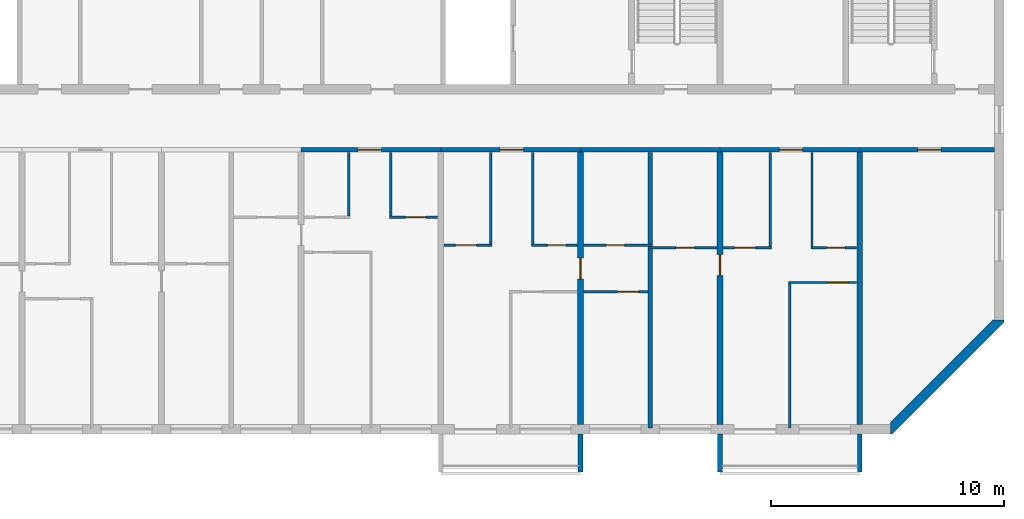
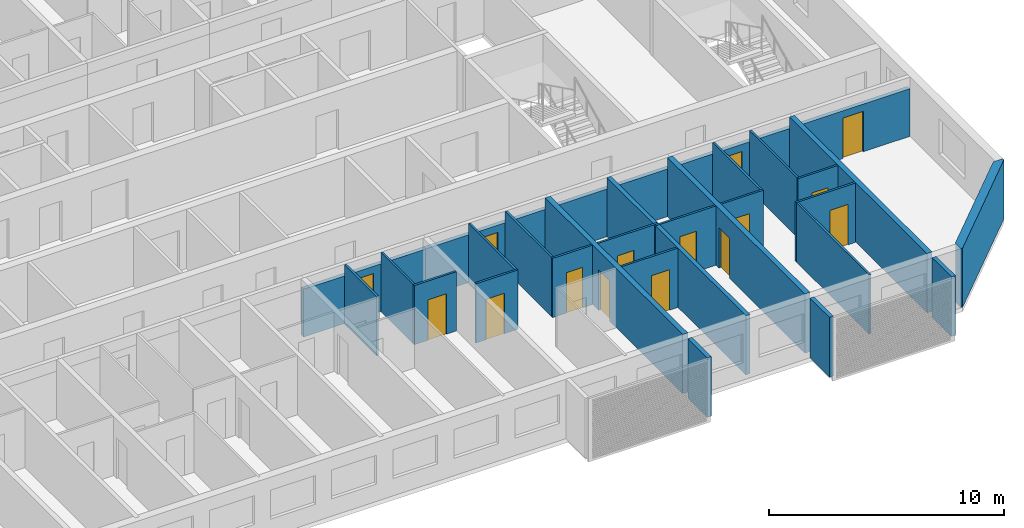
# One storey, part 5 of 28: 30 walls, 15 doors, 15 openings.
"""IFC4 building model written with IfcOpenShell, lengths in metres."""

from ifc_helpers import new_model, si_unit, direction, frame, frame_2d, origin, place, context, subcontext, project, spatial, polyline, rectangle, outline, extrude, source, transform, mapped, material, layer, layer_set, type_object, element, fill, save


model = new_model("IFC4")

# Units and contexts
model_context = context("Model", 3, precision=1e-05, world=origin(), true_north=direction((0.0, 1.0)))
body_context = subcontext(model_context, "Body", "Model", "MODEL_VIEW")
ifc_project = project(units=[si_unit("LENGTHUNIT", "METRE"), si_unit("AREAUNIT", "SQUARE_METRE"), si_unit("VOLUMEUNIT", "CUBIC_METRE"), si_unit("PLANEANGLEUNIT", "RADIAN"), si_unit("MASSUNIT", "GRAM", prefix="KILO")], contexts=[model_context])

# Site, building, storey
site_placement = place(None, origin())
site = spatial("IfcSite", under=ifc_project, at=site_placement, CompositionType="ELEMENT")
building_placement = place(site_placement, origin())
building = spatial("IfcBuilding", under=site, at=building_placement, Name="Poui Terraces", CompositionType="ELEMENT")
storey_placement = place(building_placement, frame((0.0, 0.0, 188.39990234375)))
storey = spatial("IfcBuildingStorey", under=building, at=storey_placement, Name="L52", CompositionType="ELEMENT", Elevation=188.39990234375)

# Wall, opening, door
ifc_material_1 = material(Name="Concrete 50 MPa", Category="concrete")
ifc_layer_1 = layer(ifc_material_1, 0.199951171875)
ifc_layer_set_1 = layer_set([ifc_layer_1], Name="Concrete 50 MPa")
wall_type_1 = type_object("IfcWallType", Name="CORRIDOR WALL 200 50MPa", PredefinedType="SHEAR", material=ifc_layer_set_1)
wall_1_placement = place(storey_placement, frame((54.0, 12.0, 0.0), z_axis=(0.0, 0.0, 1.0), x_axis=(1.0, 0.0, 0.0)))
wall_1 = element("IfcWall", 1, at=wall_1_placement, inside=storey, type_object=wall_type_1, Name="CORRIDOR WALL LINE B BAY 7", PredefinedType="SHEAR", context=body_context, shape_type="SweptSolid", body=[
    extrude(rectangle(XDim=6.0, YDim=0.199951171875, at=frame_2d((3.0, 0.0))), origin(), (0.0, 0.0, 1.0), 2.47998046875),
])
opening_1_placement = place(wall_1_placement, frame((2.449951171875, 0.0, 0.0)))
opening_1 = element("IfcOpeningElement", 2, at=opening_1_placement, cuts=wall_1, Name="Opening FD30S", PredefinedType="OPENING", context=body_context, shape_type="SweptSolid", body=[
    extrude(rectangle(XDim=1.0, YDim=2.10009765625, at=frame_2d((0.5, 1.050048828125))), frame((0.0, 0.10986328125, 0.0), z_axis=(0.0, -1.0, 0.0), x_axis=(1.0, 0.0, 0.0)), (0.0, 0.0, 1.0), 0.219970703125),
])
ifc_material_2 = material(Name="Steel fire door", Category="steel")
door_type_1 = type_object("IfcDoorType", Name="FLAT ENTRANCE DOOR 1000 X 2100", OperationType="NOTDEFINED", PredefinedType="DOOR", material=ifc_material_2)
door_1_placement = place(opening_1_placement, frame((1.0, 0.0, 0.0), z_axis=(0.0, 0.0, 1.0), x_axis=(-1.0, 0.0, 0.0)))
door_1 = element("IfcDoor", 3, at=door_1_placement, inside=storey, type_object=door_type_1, Name="FLAT ENTRANCE DOOR 086", OperationType="SINGLE_SWING_RIGHT", OverallHeight=2.10009765625, OverallWidth=1.0, PredefinedType="DOOR", context=body_context, shape_type="SweptSolid", body=[
    extrude(rectangle(XDim=1.0, YDim=2.10009765625, at=frame_2d((0.5, 1.050048828125))), frame((0.0, 0.02490234375, 0.0), z_axis=(0.0, -1.0, 0.0), x_axis=(1.0, 0.0, 0.0)), (0.0, 0.0, 1.0), 0.050048828125),
])
fill(opening_1, door_1)

wall_2_placement = place(storey_placement, frame((60.0, 12.0, 0.0), z_axis=(0.0, 0.0, 1.0), x_axis=(1.0, 0.0, 0.0)))
wall_2 = element("IfcWall", 4, at=wall_2_placement, inside=storey, type_object=wall_type_1, Name="CORRIDOR WALL LINE B BAY 8", PredefinedType="SHEAR", context=body_context, shape_type="SweptSolid", body=[
    extrude(rectangle(XDim=6.0, YDim=0.199951171875, at=frame_2d((3.0, 0.0))), origin(), (0.0, 0.0, 1.0), 2.47998046875),
])
opening_2_placement = place(wall_2_placement, frame((2.550048828125, 0.0, 0.0)))
opening_2 = element("IfcOpeningElement", 5, at=opening_2_placement, cuts=wall_2, Name="Opening FD30S", PredefinedType="OPENING", context=body_context, shape_type="SweptSolid", body=[
    extrude(rectangle(XDim=1.0, YDim=2.10009765625, at=frame_2d((0.5, 1.050048828125))), frame((0.0, 0.10986328125, 0.0), z_axis=(0.0, -1.0, 0.0), x_axis=(1.0, 0.0, 0.0)), (0.0, 0.0, 1.0), 0.219970703125),
])
door_2_placement = place(opening_2_placement, frame((1.0, 0.0, 0.0), z_axis=(0.0, 0.0, 1.0), x_axis=(-1.0, 0.0, 0.0)))
door_2 = element("IfcDoor", 6, at=door_2_placement, inside=storey, type_object=door_type_1, Name="FLAT ENTRANCE DOOR 091", OperationType="SINGLE_SWING_LEFT", OverallHeight=2.10009765625, OverallWidth=1.0, PredefinedType="DOOR", context=body_context, shape_type="SweptSolid", body=[
    extrude(rectangle(XDim=1.0, YDim=2.10009765625, at=frame_2d((0.5, 1.050048828125))), frame((0.0, 0.02490234375, 0.0), z_axis=(0.0, -1.0, 0.0), x_axis=(1.0, 0.0, 0.0)), (0.0, 0.0, 1.0), 0.050048828125),
])
fill(opening_2, door_2)

# Wall
wall_3_placement = place(storey_placement, frame((66.0, 12.0, 0.0), z_axis=(0.0, 0.0, 1.0), x_axis=(1.0, 0.0, 0.0)))
element("IfcWall", 7, at=wall_3_placement, inside=storey, type_object=wall_type_1, Name="CORRIDOR WALL LINE B BAY 9", PredefinedType="SHEAR", context=body_context, shape_type="SweptSolid", body=[
    extrude(rectangle(XDim=6.0, YDim=0.199951171875, at=frame_2d((3.0, 0.0))), origin(), (0.0, 0.0, 1.0), 2.47998046875),
])

# Wall, opening, door
wall_4_placement = place(storey_placement, frame((72.0, 12.0, 0.0), z_axis=(0.0, 0.0, 1.0), x_axis=(1.0, 0.0, 0.0)))
wall_4 = element("IfcWall", 8, at=wall_4_placement, inside=storey, type_object=wall_type_1, Name="CORRIDOR WALL LINE B BAY 10", PredefinedType="SHEAR", context=body_context, shape_type="SweptSolid", body=[
    extrude(rectangle(XDim=6.0, YDim=0.199951171875, at=frame_2d((3.0, 0.0))), origin(), (0.0, 0.0, 1.0), 2.47998046875),
])
opening_3_placement = place(wall_4_placement, frame((2.550048828125, 0.0, 0.0)))
opening_3 = element("IfcOpeningElement", 9, at=opening_3_placement, cuts=wall_4, Name="Opening FD30S", PredefinedType="OPENING", context=body_context, shape_type="SweptSolid", body=[
    extrude(rectangle(XDim=1.0, YDim=2.10009765625, at=frame_2d((0.5, 1.050048828125))), frame((0.0, 0.10986328125, 0.0), z_axis=(0.0, -1.0, 0.0), x_axis=(1.0, 0.0, 0.0)), (0.0, 0.0, 1.0), 0.219970703125),
])
door_3_placement = place(opening_3_placement, frame((1.0, 0.0, 0.0), z_axis=(0.0, 0.0, 1.0), x_axis=(-1.0, 0.0, 0.0)))
door_3 = element("IfcDoor", 10, at=door_3_placement, inside=storey, type_object=door_type_1, Name="FLAT ENTRANCE DOOR 098", OperationType="SINGLE_SWING_LEFT", OverallHeight=2.10009765625, OverallWidth=1.0, PredefinedType="DOOR", context=body_context, shape_type="SweptSolid", body=[
    extrude(rectangle(XDim=1.0, YDim=2.10009765625, at=frame_2d((0.5, 1.050048828125))), frame((0.0, 0.02490234375, 0.0), z_axis=(0.0, -1.0, 0.0), x_axis=(1.0, 0.0, 0.0)), (0.0, 0.0, 1.0), 0.050048828125),
])
fill(opening_3, door_3)

wall_5_placement = place(storey_placement, frame((78.0, 12.0, 0.0), z_axis=(0.0, 0.0, 1.0), x_axis=(1.0, 0.0, 0.0)))
wall_5 = element("IfcWall", 11, at=wall_5_placement, inside=storey, type_object=wall_type_1, Name="CORRIDOR WALL LINE B BAY 11", PredefinedType="SHEAR", context=body_context, shape_type="SweptSolid", body=[
    extrude(rectangle(XDim=5.800048828125, YDim=0.199951171875, at=frame_2d((2.89990234375, 0.0))), origin(), (0.0, 0.0, 1.0), 2.47998046875),
])
opening_4_placement = place(wall_5_placement, frame((2.5, 0.0, 0.0)))
opening_4 = element("IfcOpeningElement", 12, at=opening_4_placement, cuts=wall_5, Name="Opening D100", PredefinedType="OPENING", context=body_context, shape_type="SweptSolid", body=[
    extrude(rectangle(XDim=1.0, YDim=2.10009765625, at=frame_2d((0.5, 1.050048828125))), frame((0.0, 0.10986328125, 0.0), z_axis=(0.0, -1.0, 0.0), x_axis=(1.0, 0.0, 0.0)), (0.0, 0.0, 1.0), 0.219970703125),
])
ifc_material_3 = material(Name="Solid core timber door", Category="wood")
door_type_2 = type_object("IfcDoorType", Name="ACCESSIBLE INTERNAL DOOR 1000 X 2100", OperationType="NOTDEFINED", PredefinedType="DOOR", material=ifc_material_3)
door_4_placement = place(opening_4_placement, frame((1.0, 0.0, 0.0), z_axis=(0.0, 0.0, 1.0), x_axis=(-1.0, 0.0, 0.0)))
door_4 = element("IfcDoor", 13, at=door_4_placement, inside=storey, type_object=door_type_2, Name="ACCESSIBLE INTERNAL DOOR 101", OperationType="SINGLE_SWING_RIGHT", OverallHeight=2.10009765625, OverallWidth=1.0, PredefinedType="DOOR", context=body_context, shape_type="SweptSolid", body=[
    extrude(rectangle(XDim=1.0, YDim=2.10009765625, at=frame_2d((0.5, 1.050048828125))), frame((0.0, 0.02490234375, 0.0), z_axis=(0.0, -1.0, 0.0), x_axis=(1.0, 0.0, 0.0)), (0.0, 0.0, 1.0), 0.050048828125),
])
fill(opening_4, door_4)

ifc_layer_2 = layer(ifc_material_1, 0.25)
ifc_layer_set_2 = layer_set([ifc_layer_2], Name="Concrete 50 MPa")
wall_type_2 = type_object("IfcWallType", Name="CROSS WALL 250 50MPa", PredefinedType="SHEAR", material=ifc_layer_set_2)
wall_6_placement = place(storey_placement, frame((66.0, 0.199951171875, 0.0), z_axis=(0.0, 0.0, 1.0), x_axis=(0.0, 1.0, 0.0)))
wall_6 = element("IfcWall", 14, at=wall_6_placement, inside=storey, type_object=wall_type_2, Name="CROSS WALL LINE 12 SOUTH", PredefinedType="SHEAR", context=body_context, shape_type="SweptSolid", body=[
    extrude(rectangle(XDim=11.699951171875, YDim=0.25, at=frame_2d((5.85009765625, 0.0))), origin(), (0.0, 0.0, 1.0), 3.080078125),
])
opening_5_placement = place(wall_6_placement, frame((6.25, 0.0, 0.0)))
opening_5 = element("IfcOpeningElement", 15, at=opening_5_placement, cuts=wall_6, Name="Opening D90", PredefinedType="OPENING", context=body_context, shape_type="SweptSolid", body=[
    extrude(rectangle(XDim=0.89990234375, YDim=2.10009765625, at=frame_2d((0.449951171875, 1.050048828125))), frame((0.0, 0.135009765625, 0.0), z_axis=(0.0, -1.0, 0.0), x_axis=(1.0, 0.0, 0.0)), (0.0, 0.0, 1.0), 0.27001953125),
])
door_type_3 = type_object("IfcDoorType", Name="INTERNAL DOOR 900 X 2100", OperationType="NOTDEFINED", PredefinedType="DOOR", material=ifc_material_3)
door_5_placement = place(opening_5_placement, origin())
door_5 = element("IfcDoor", 16, at=door_5_placement, inside=storey, type_object=door_type_3, Name="INTERNAL DOOR 094", OperationType="SINGLE_SWING_RIGHT", OverallHeight=2.10009765625, OverallWidth=0.89990234375, PredefinedType="DOOR", context=body_context, shape_type="SweptSolid", body=[
    extrude(rectangle(XDim=0.89990234375, YDim=2.10009765625, at=frame_2d((0.449951171875, 1.050048828125))), frame((0.0, 0.02490234375, 0.0), z_axis=(0.0, -1.0, 0.0), x_axis=(1.0, 0.0, 0.0)), (0.0, 0.0, 1.0), 0.050048828125),
])
fill(opening_5, door_5)

wall_7_placement = place(storey_placement, frame((72.0, 0.199951171875, 0.0), z_axis=(0.0, 0.0, 1.0), x_axis=(0.0, 1.0, 0.0)))
wall_7 = element("IfcWall", 17, at=wall_7_placement, inside=storey, type_object=wall_type_2, Name="CROSS WALL LINE 13 SOUTH", PredefinedType="SHEAR", context=body_context, shape_type="SweptSolid", body=[
    extrude(rectangle(XDim=11.699951171875, YDim=0.25, at=frame_2d((5.85009765625, 0.0))), origin(), (0.0, 0.0, 1.0), 3.080078125),
])
opening_6_placement = place(wall_7_placement, frame((6.39990234375, 0.0, 0.0)))
opening_6 = element("IfcOpeningElement", 18, at=opening_6_placement, cuts=wall_7, Name="Opening D90", PredefinedType="OPENING", context=body_context, shape_type="SweptSolid", body=[
    extrude(rectangle(XDim=0.89990234375, YDim=2.10009765625, at=frame_2d((0.449951171875, 1.050048828125))), frame((0.0, 0.135009765625, 0.0), z_axis=(0.0, -1.0, 0.0), x_axis=(1.0, 0.0, 0.0)), (0.0, 0.0, 1.0), 0.27001953125),
])
door_6_placement = place(opening_6_placement, origin())
door_6 = element("IfcDoor", 19, at=door_6_placement, inside=storey, type_object=door_type_3, Name="INTERNAL DOOR 096", OperationType="SINGLE_SWING_RIGHT", OverallHeight=2.10009765625, OverallWidth=0.89990234375, PredefinedType="DOOR", context=body_context, shape_type="SweptSolid", body=[
    extrude(rectangle(XDim=0.89990234375, YDim=2.10009765625, at=frame_2d((0.449951171875, 1.050048828125))), frame((0.0, 0.02490234375, 0.0), z_axis=(0.0, -1.0, 0.0), x_axis=(1.0, 0.0, 0.0)), (0.0, 0.0, 1.0), 0.050048828125),
])
fill(opening_6, door_6)

# Wall
wall_8_placement = place(storey_placement, frame((78.0, 0.199951171875, 0.0), z_axis=(0.0, 0.0, 1.0), x_axis=(0.0, 1.0, 0.0)))
element("IfcWall", 20, at=wall_8_placement, inside=storey, type_object=wall_type_2, Name="CROSS WALL LINE 14 SOUTH", PredefinedType="SHEAR", context=body_context, shape_type="SweptSolid", body=[
    extrude(rectangle(XDim=11.699951171875, YDim=0.25, at=frame_2d((5.85009765625, 0.0))), origin(), (0.0, 0.0, 1.0), 3.080078125),
])

# Wall, opening, door
ifc_material_4 = material(Name="Plasterboard partition")
ifc_layer_3 = layer(ifc_material_4, 0.10009765625)
ifc_layer_set_3 = layer_set([ifc_layer_3], Name="Plasterboard partition")
wall_type_3 = type_object("IfcWallType", Name="FLAT PARTITION 100", PredefinedType="PARTITIONING", material=ifc_layer_set_3)
wall_9_placement = place(storey_placement, frame((66.135009765625, 5.89990234375, 0.0), z_axis=(0.0, 0.0, 1.0), x_axis=(1.0, 0.0, 0.0)))
wall_9 = element("IfcWall", 21, at=wall_9_placement, inside=storey, type_object=wall_type_3, Name="FLAT PARTITION 100", PredefinedType="PARTITIONING", context=body_context, shape_type="SweptSolid", body=[
    extrude(rectangle(XDim=2.764892578125, YDim=0.10009765625, at=frame_2d((1.38232421875, 0.0))), origin(), (0.0, 0.0, 1.0), 3.080078125),
])
opening_7_placement = place(wall_9_placement, frame((1.465087890625, 0.0, 0.0)))
opening_7 = element("IfcOpeningElement", 22, at=opening_7_placement, cuts=wall_9, Name="Opening D90", PredefinedType="OPENING", context=body_context, shape_type="SweptSolid", body=[
    extrude(rectangle(XDim=0.89990234375, YDim=2.10009765625, at=frame_2d((0.449951171875, 1.050048828125))), frame((0.0, 0.06005859375, 0.0), z_axis=(0.0, -1.0, 0.0), x_axis=(1.0, 0.0, 0.0)), (0.0, 0.0, 1.0), 0.1201171875),
])
door_7_placement = place(opening_7_placement, frame((0.89990234375, 0.0, 0.0), z_axis=(0.0, 0.0, 1.0), x_axis=(-1.0, 0.0, 0.0)))
door_7 = element("IfcDoor", 23, at=door_7_placement, inside=storey, type_object=door_type_3, Name="INTERNAL DOOR 089", OperationType="SINGLE_SWING_LEFT", OverallHeight=2.10009765625, OverallWidth=0.89990234375, PredefinedType="DOOR", context=body_context, shape_type="SweptSolid", body=[
    extrude(rectangle(XDim=0.89990234375, YDim=2.10009765625, at=frame_2d((0.449951171875, 1.050048828125))), frame((0.0, 0.02490234375, 0.0), z_axis=(0.0, -1.0, 0.0), x_axis=(1.0, 0.0, 0.0)), (0.0, 0.0, 1.0), 0.050048828125),
])
fill(opening_7, door_7)

wall_10_placement = place(storey_placement, frame((74.949951171875, 6.300048828125, 0.0), z_axis=(0.0, 0.0, 1.0), x_axis=(1.0, 0.0, 0.0)))
wall_10 = element("IfcWall", 24, at=wall_10_placement, inside=storey, type_object=wall_type_3, Name="FLAT PARTITION 100", PredefinedType="PARTITIONING", context=body_context, shape_type="SweptSolid", body=[
    extrude(rectangle(XDim=2.9150390625, YDim=0.10009765625, at=frame_2d((1.45751953125, 0.0))), origin(), (0.0, 0.0, 1.0), 3.080078125),
])
opening_8_placement = place(wall_10_placement, frame((1.64990234375, 0.0, 0.0)))
opening_8 = element("IfcOpeningElement", 25, at=opening_8_placement, cuts=wall_10, Name="Opening D90", PredefinedType="OPENING", context=body_context, shape_type="SweptSolid", body=[
    extrude(rectangle(XDim=0.89990234375, YDim=2.10009765625, at=frame_2d((0.449951171875, 1.050048828125))), frame((0.0, 0.06005859375, 0.0), z_axis=(0.0, -1.0, 0.0), x_axis=(1.0, 0.0, 0.0)), (0.0, 0.0, 1.0), 0.1201171875),
])
door_8_placement = place(opening_8_placement, origin())
door_8 = element("IfcDoor", 26, at=door_8_placement, inside=storey, type_object=door_type_3, Name="INTERNAL DOOR 100", OperationType="SINGLE_SWING_LEFT", OverallHeight=2.10009765625, OverallWidth=0.89990234375, PredefinedType="DOOR", context=body_context, shape_type="SweptSolid", body=[
    extrude(rectangle(XDim=0.89990234375, YDim=2.10009765625, at=frame_2d((0.449951171875, 1.050048828125))), frame((0.0, 0.02490234375, 0.0), z_axis=(0.0, -1.0, 0.0), x_axis=(1.0, 0.0, 0.0)), (0.0, 0.0, 1.0), 0.050048828125),
])
fill(opening_8, door_8)

wall_11_placement = place(storey_placement, frame((68.89990234375, 7.800048828125, 0.0), z_axis=(0.0, 0.0, 1.0), x_axis=(1.0, 0.0, 0.0)))
wall_11 = element("IfcWall", 27, at=wall_11_placement, inside=storey, type_object=wall_type_3, Name="FLAT PARTITION 100", PredefinedType="PARTITIONING", context=body_context, shape_type="SweptSolid", body=[
    extrude(rectangle(XDim=2.965087890625, YDim=0.10009765625, at=frame_2d((1.482421875, 0.0))), origin(), (0.0, 0.0, 1.0), 3.080078125),
])
opening_9_placement = place(wall_11_placement, frame((1.199951171875, 0.0, 0.0)))
opening_9 = element("IfcOpeningElement", 28, at=opening_9_placement, cuts=wall_11, Name="Opening D80", PredefinedType="OPENING", context=body_context, shape_type="SweptSolid", body=[
    extrude(rectangle(XDim=0.800048828125, YDim=2.10009765625, at=frame_2d((0.39990234375, 1.050048828125))), frame((0.0, 0.06005859375, 0.0), z_axis=(0.0, -1.0, 0.0), x_axis=(1.0, 0.0, 0.0)), (0.0, 0.0, 1.0), 0.1201171875),
])
door_type_4 = type_object("IfcDoorType", Name="BATHROOM, LAUNDRY AND STORE DOOR 800 X 2100", OperationType="NOTDEFINED", PredefinedType="DOOR", material=ifc_material_3)
door_9_placement = place(opening_9_placement, origin())
door_9 = element("IfcDoor", 29, at=door_9_placement, inside=storey, type_object=door_type_4, Name="BATHROOM, LAUNDRY AND STORE DOOR 095", OperationType="SINGLE_SWING_LEFT", OverallHeight=2.10009765625, OverallWidth=0.800048828125, PredefinedType="DOOR", context=body_context, shape_type="SweptSolid", body=[
    extrude(rectangle(XDim=0.800048828125, YDim=2.10009765625, at=frame_2d((0.39990234375, 1.050048828125))), frame((0.0, 0.02490234375, 0.0), z_axis=(0.0, -1.0, 0.0), x_axis=(1.0, 0.0, 0.0)), (0.0, 0.0, 1.0), 0.050048828125),
])
fill(opening_9, door_9)

wall_12_placement = place(storey_placement, frame((72.135009765625, 7.800048828125, 0.0), z_axis=(0.0, 0.0, 1.0), x_axis=(1.0, 0.0, 0.0)))
wall_12 = element("IfcWall", 30, at=wall_12_placement, inside=storey, type_object=wall_type_3, Name="FLAT PARTITION 100", PredefinedType="PARTITIONING", context=body_context, shape_type="SweptSolid", body=[
    extrude(rectangle(XDim=2.06494140625, YDim=0.10009765625, at=frame_2d((1.032470703125, 0.0))), origin(), (0.0, 0.0, 1.0), 3.080078125),
])
opening_10_placement = place(wall_12_placement, frame((0.489990234375, 0.0, 0.0)))
opening_10 = element("IfcOpeningElement", 31, at=opening_10_placement, cuts=wall_12, Name="Opening D90", PredefinedType="OPENING", context=body_context, shape_type="SweptSolid", body=[
    extrude(rectangle(XDim=0.89990234375, YDim=2.10009765625, at=frame_2d((0.449951171875, 1.050048828125))), frame((0.0, 0.06005859375, 0.0), z_axis=(0.0, -1.0, 0.0), x_axis=(1.0, 0.0, 0.0)), (0.0, 0.0, 1.0), 0.1201171875),
])
door_10_placement = place(opening_10_placement, origin())
door_10 = element("IfcDoor", 32, at=door_10_placement, inside=storey, type_object=door_type_3, Name="INTERNAL DOOR 097", OperationType="SINGLE_SWING_LEFT", OverallHeight=2.10009765625, OverallWidth=0.89990234375, PredefinedType="DOOR", context=body_context, shape_type="SweptSolid", body=[
    extrude(rectangle(XDim=0.89990234375, YDim=2.10009765625, at=frame_2d((0.449951171875, 1.050048828125))), frame((0.0, 0.02490234375, 0.0), z_axis=(0.0, -1.0, 0.0), x_axis=(1.0, 0.0, 0.0)), (0.0, 0.0, 1.0), 0.050048828125),
])
fill(opening_10, door_10)

wall_13_placement = place(storey_placement, frame((75.89990234375, 7.800048828125, 0.0), z_axis=(0.0, 0.0, 1.0), x_axis=(1.0, 0.0, 0.0)))
wall_13 = element("IfcWall", 33, at=wall_13_placement, inside=storey, type_object=wall_type_3, Name="FLAT PARTITION 100", PredefinedType="PARTITIONING", context=body_context, shape_type="SweptSolid", body=[
    extrude(rectangle(XDim=1.965087890625, YDim=0.10009765625, at=frame_2d((0.982421875, 0.0))), origin(), (0.0, 0.0, 1.0), 3.080078125),
])
opening_11_placement = place(wall_13_placement, frame((0.675048828125, 0.0, 0.0)))
opening_11 = element("IfcOpeningElement", 34, at=opening_11_placement, cuts=wall_13, Name="Opening D80", PredefinedType="OPENING", context=body_context, shape_type="SweptSolid", body=[
    extrude(rectangle(XDim=0.800048828125, YDim=2.10009765625, at=frame_2d((0.39990234375, 1.050048828125))), frame((0.0, 0.06005859375, 0.0), z_axis=(0.0, -1.0, 0.0), x_axis=(1.0, 0.0, 0.0)), (0.0, 0.0, 1.0), 0.1201171875),
])
door_11_placement = place(opening_11_placement, origin())
door_11 = element("IfcDoor", 35, at=door_11_placement, inside=storey, type_object=door_type_4, Name="BATHROOM, LAUNDRY AND STORE DOOR 099", OperationType="SINGLE_SWING_RIGHT", OverallHeight=2.10009765625, OverallWidth=0.800048828125, PredefinedType="DOOR", context=body_context, shape_type="SweptSolid", body=[
    extrude(rectangle(XDim=0.800048828125, YDim=2.10009765625, at=frame_2d((0.39990234375, 1.050048828125))), frame((0.0, 0.02490234375, 0.0), z_axis=(0.0, -1.0, 0.0), x_axis=(1.0, 0.0, 0.0)), (0.0, 0.0, 1.0), 0.050048828125),
])
fill(opening_11, door_11)

wall_14_placement = place(storey_placement, frame((60.135009765625, 7.89990234375, 0.0), z_axis=(0.0, 0.0, 1.0), x_axis=(1.0, 0.0, 0.0)))
wall_14 = element("IfcWall", 36, at=wall_14_placement, inside=storey, type_object=wall_type_3, Name="FLAT PARTITION 100", PredefinedType="PARTITIONING", context=body_context, shape_type="SweptSolid", body=[
    extrude(rectangle(XDim=2.06494140625, YDim=0.10009765625, at=frame_2d((1.032470703125, 0.0))), origin(), (0.0, 0.0, 1.0), 3.080078125),
])
opening_12_placement = place(wall_14_placement, frame((0.489990234375, 0.0, 0.0)))
opening_12 = element("IfcOpeningElement", 37, at=opening_12_placement, cuts=wall_14, Name="Opening D90", PredefinedType="OPENING", context=body_context, shape_type="SweptSolid", body=[
    extrude(rectangle(XDim=0.89990234375, YDim=2.10009765625, at=frame_2d((0.449951171875, 1.050048828125))), frame((0.0, 0.06005859375, 0.0), z_axis=(0.0, -1.0, 0.0), x_axis=(1.0, 0.0, 0.0)), (0.0, 0.0, 1.0), 0.1201171875),
])
door_12_placement = place(opening_12_placement, origin())
door_12 = element("IfcDoor", 38, at=door_12_placement, inside=storey, type_object=door_type_3, Name="INTERNAL DOOR 090", OperationType="SINGLE_SWING_RIGHT", OverallHeight=2.10009765625, OverallWidth=0.89990234375, PredefinedType="DOOR", context=body_context, shape_type="SweptSolid", body=[
    extrude(rectangle(XDim=0.89990234375, YDim=2.10009765625, at=frame_2d((0.449951171875, 1.050048828125))), frame((0.0, 0.02490234375, 0.0), z_axis=(0.0, -1.0, 0.0), x_axis=(1.0, 0.0, 0.0)), (0.0, 0.0, 1.0), 0.050048828125),
])
fill(opening_12, door_12)

wall_15_placement = place(storey_placement, frame((63.89990234375, 7.89990234375, 0.0), z_axis=(0.0, 0.0, 1.0), x_axis=(1.0, 0.0, 0.0)))
wall_15 = element("IfcWall", 39, at=wall_15_placement, inside=storey, type_object=wall_type_3, Name="FLAT PARTITION 100", PredefinedType="PARTITIONING", context=body_context, shape_type="SweptSolid", body=[
    extrude(rectangle(XDim=1.965087890625, YDim=0.10009765625, at=frame_2d((0.982421875, 0.0))), origin(), (0.0, 0.0, 1.0), 3.080078125),
])
opening_13_placement = place(wall_15_placement, frame((0.675048828125, 0.0, 0.0)))
opening_13 = element("IfcOpeningElement", 40, at=opening_13_placement, cuts=wall_15, Name="Opening D80", PredefinedType="OPENING", context=body_context, shape_type="SweptSolid", body=[
    extrude(rectangle(XDim=0.800048828125, YDim=2.10009765625, at=frame_2d((0.39990234375, 1.050048828125))), frame((0.0, 0.06005859375, 0.0), z_axis=(0.0, -1.0, 0.0), x_axis=(1.0, 0.0, 0.0)), (0.0, 0.0, 1.0), 0.1201171875),
])
door_13_placement = place(opening_13_placement, origin())
door_13 = element("IfcDoor", 41, at=door_13_placement, inside=storey, type_object=door_type_4, Name="BATHROOM, LAUNDRY AND STORE DOOR 093", OperationType="SINGLE_SWING_LEFT", OverallHeight=2.10009765625, OverallWidth=0.800048828125, PredefinedType="DOOR", context=body_context, shape_type="SweptSolid", body=[
    extrude(rectangle(XDim=0.800048828125, YDim=2.10009765625, at=frame_2d((0.39990234375, 1.050048828125))), frame((0.0, 0.02490234375, 0.0), z_axis=(0.0, -1.0, 0.0), x_axis=(1.0, 0.0, 0.0)), (0.0, 0.0, 1.0), 0.050048828125),
])
fill(opening_13, door_13)

wall_16_placement = place(storey_placement, frame((66.135009765625, 7.89990234375, 0.0), z_axis=(0.0, 0.0, 1.0), x_axis=(1.0, 0.0, 0.0)))
wall_16 = element("IfcWall", 42, at=wall_16_placement, inside=storey, type_object=wall_type_3, Name="FLAT PARTITION 100", PredefinedType="PARTITIONING", context=body_context, shape_type="SweptSolid", body=[
    extrude(rectangle(XDim=2.965087890625, YDim=0.10009765625, at=frame_2d((1.482421875, 0.0))), origin(), (0.0, 0.0, 1.0), 3.080078125),
])
opening_14_placement = place(wall_16_placement, frame((0.965087890625, 0.0, 0.0)))
opening_14 = element("IfcOpeningElement", 43, at=opening_14_placement, cuts=wall_16, Name="Opening D80", PredefinedType="OPENING", context=body_context, shape_type="SweptSolid", body=[
    extrude(rectangle(XDim=0.800048828125, YDim=2.10009765625, at=frame_2d((0.39990234375, 1.050048828125))), frame((0.0, 0.06005859375, 0.0), z_axis=(0.0, -1.0, 0.0), x_axis=(1.0, 0.0, 0.0)), (0.0, 0.0, 1.0), 0.1201171875),
])
door_14_placement = place(opening_14_placement, origin())
door_14 = element("IfcDoor", 44, at=door_14_placement, inside=storey, type_object=door_type_4, Name="BATHROOM, LAUNDRY AND STORE DOOR 088", OperationType="SINGLE_SWING_LEFT", OverallHeight=2.10009765625, OverallWidth=0.800048828125, PredefinedType="DOOR", context=body_context, shape_type="SweptSolid", body=[
    extrude(rectangle(XDim=0.800048828125, YDim=2.10009765625, at=frame_2d((0.39990234375, 1.050048828125))), frame((0.0, 0.02490234375, 0.0), z_axis=(0.0, -1.0, 0.0), x_axis=(1.0, 0.0, 0.0)), (0.0, 0.0, 1.0), 0.050048828125),
])
fill(opening_14, door_14)

wall_17_placement = place(storey_placement, frame((57.800048828125, 9.10009765625, 0.0), z_axis=(0.0, 0.0, 1.0), x_axis=(1.0, 0.0, 0.0)))
wall_17 = element("IfcWall", 45, at=wall_17_placement, inside=storey, type_object=wall_type_3, Name="FLAT PARTITION 100", PredefinedType="PARTITIONING", context=body_context, shape_type="SweptSolid", body=[
    extrude(rectangle(XDim=2.06494140625, YDim=0.10009765625, at=frame_2d((1.032470703125, 0.0))), origin(), (0.0, 0.0, 1.0), 3.080078125),
])
opening_15_placement = place(wall_17_placement, frame((0.675048828125, 0.0, 0.0)))
opening_15 = element("IfcOpeningElement", 46, at=opening_15_placement, cuts=wall_17, Name="Opening D90", PredefinedType="OPENING", context=body_context, shape_type="SweptSolid", body=[
    extrude(rectangle(XDim=0.89990234375, YDim=2.10009765625, at=frame_2d((0.449951171875, 1.050048828125))), frame((0.0, 0.06005859375, 0.0), z_axis=(0.0, -1.0, 0.0), x_axis=(1.0, 0.0, 0.0)), (0.0, 0.0, 1.0), 0.1201171875),
])
door_15_placement = place(opening_15_placement, origin())
door_15 = element("IfcDoor", 47, at=door_15_placement, inside=storey, type_object=door_type_3, Name="INTERNAL DOOR 087", OperationType="SINGLE_SWING_RIGHT", OverallHeight=2.10009765625, OverallWidth=0.89990234375, PredefinedType="DOOR", context=body_context, shape_type="SweptSolid", body=[
    extrude(rectangle(XDim=0.89990234375, YDim=2.10009765625, at=frame_2d((0.449951171875, 1.050048828125))), frame((0.0, 0.02490234375, 0.0), z_axis=(0.0, -1.0, 0.0), x_axis=(1.0, 0.0, 0.0)), (0.0, 0.0, 1.0), 0.050048828125),
])
fill(opening_15, door_15)

# Walls
for number, where, z_axis, x_axis, name in (
    (48, (56.050048828125, 9.14990234375, 0.0), (0.0, 0.0, 1.0), (0.0, 1.0, 0.0), "FLAT PARTITION 100"),
    (49, (57.85009765625, 9.14990234375, 0.0), (0.0, 0.0, 1.0), (0.0, 1.0, 0.0), "FLAT PARTITION 100"),
):
    element("IfcWall", number, at=place(storey_placement, frame(where, z_axis=z_axis, x_axis=x_axis)), inside=storey, type_object=wall_type_3, Name=name, PredefinedType="PARTITIONING", context=body_context, shape_type="SweptSolid", body=[
        extrude(rectangle(XDim=2.739990234375, YDim=0.10009765625, at=frame_2d((1.3701171875, 0.0))), origin(), (0.0, 0.0, 1.0), 3.080078125),
    ])
for number, where, z_axis, x_axis, name in (
    (50, (62.14990234375, 7.949951171875, 0.0), (0.0, 0.0, 1.0), (0.0, 1.0, 0.0), "FLAT PARTITION 100"),
    (51, (63.949951171875, 7.949951171875, 0.0), (0.0, 0.0, 1.0), (0.0, 1.0, 0.0), "FLAT PARTITION 100"),
):
    element("IfcWall", number, at=place(storey_placement, frame(where, z_axis=z_axis, x_axis=x_axis)), inside=storey, type_object=wall_type_3, Name=name, PredefinedType="PARTITIONING", context=body_context, shape_type="SweptSolid", body=[
        extrude(rectangle(XDim=3.93994140625, YDim=0.10009765625, at=frame_2d((1.969970703125, 0.0))), origin(), (0.0, 0.0, 1.0), 3.080078125),
    ])
wall_18_placement = place(storey_placement, frame((74.14990234375, 7.85009765625, 0.0), z_axis=(0.0, 0.0, 1.0), x_axis=(0.0, 1.0, 0.0)))
element("IfcWall", 52, at=wall_18_placement, inside=storey, type_object=wall_type_3, Name="FLAT PARTITION 100", PredefinedType="PARTITIONING", context=body_context, shape_type="SweptSolid", body=[
    extrude(rectangle(XDim=4.039794921875, YDim=0.10009765625, at=frame_2d((2.02001953125, 0.0))), origin(), (0.0, 0.0, 1.0), 3.080078125),
])
wall_19_placement = place(storey_placement, frame((75.0, 0.06005859375, 0.0), z_axis=(0.0, 0.0, 1.0), x_axis=(0.0, 1.0, 0.0)))
element("IfcWall", 53, at=wall_19_placement, inside=storey, type_object=wall_type_3, Name="FLAT PARTITION 100", PredefinedType="PARTITIONING", context=body_context, shape_type="SweptSolid", body=[
    extrude(rectangle(XDim=6.18994140625, YDim=0.10009765625, at=frame_2d((3.094970703125, 0.0))), origin(), (0.0, 0.0, 1.0), 3.080078125),
])
wall_20_placement = place(storey_placement, frame((75.949951171875, 7.85009765625, 0.0), z_axis=(0.0, 0.0, 1.0), x_axis=(0.0, 1.0, 0.0)))
element("IfcWall", 54, at=wall_20_placement, inside=storey, type_object=wall_type_3, Name="FLAT PARTITION 100", PredefinedType="PARTITIONING", context=body_context, shape_type="SweptSolid", body=[
    extrude(rectangle(XDim=4.039794921875, YDim=0.10009765625, at=frame_2d((2.02001953125, 0.0))), origin(), (0.0, 0.0, 1.0), 3.080078125),
])
ifc_material_5 = material(Name="Fire-rated masonry wall", Category="masonry")
ifc_layer_4 = layer(ifc_material_5, 0.199951171875)
ifc_layer_set_4 = layer_set([ifc_layer_4], Name="Fire-rated masonry wall")
wall_type_4 = type_object("IfcWallType", Name="FLAT PARTY WALL 200", PredefinedType="PARTITIONING", material=ifc_layer_set_4)
wall_21_placement = place(storey_placement, frame((69.0, 0.06005859375, 0.0), z_axis=(0.0, 0.0, 1.0), x_axis=(0.0, 1.0, 0.0)))
element("IfcWall", 55, at=wall_21_placement, inside=storey, type_object=wall_type_4, Name="FLAT PARTY WALL 200", PredefinedType="PARTITIONING", context=body_context, shape_type="SweptSolid", body=[
    extrude(rectangle(XDim=7.68994140625, YDim=0.199951171875, at=frame_2d((3.844970703125, 0.0))), origin(), (0.0, 0.0, 1.0), 3.080078125),
])
wall_22_placement = place(storey_placement, frame((69.0, 7.949951171875, 0.0), z_axis=(0.0, 0.0, 1.0), x_axis=(0.0, 1.0, 0.0)))
element("IfcWall", 56, at=wall_22_placement, inside=storey, type_object=wall_type_4, Name="FLAT PARTY WALL 200", PredefinedType="PARTITIONING", context=body_context, shape_type="SweptSolid", body=[
    extrude(rectangle(XDim=3.93994140625, YDim=0.199951171875, at=frame_2d((1.969970703125, 0.0))), origin(), (0.0, 0.0, 1.0), 3.080078125),
])
ifc_material_6 = material(Name="Precast concrete 40 MPa", Category="concrete")
ifc_layer_5 = layer(ifc_material_6, 0.39990234375)
ifc_layer_set_5 = layer_set([ifc_layer_5], Name="Precast concrete 40 MPa")
wall_type_5 = type_object("IfcWallType", Name="TERRACOTTA CLAD CHAMFER WALL 400", PredefinedType="STANDARD", material=ifc_layer_set_5)
wall_23_placement = place(storey_placement, origin())
element("IfcWall", 57, at=wall_23_placement, inside=storey, type_object=wall_type_5, Name="CHAMFER WALL CH01", PredefinedType="STANDARD", context=body_context, shape_type="SweptSolid", body=[
    extrude(outline(polyline([(79.317138671875, -0.199951171875), (79.39990234375, -0.199951171875), (84.199951171875, 4.60009765625), (84.199951171875, 4.682861328125), (83.71728515625, 4.682861328125), (79.317138671875, 0.28271484375), (79.317138671875, -0.199951171875)])), origin(), (0.0, 0.0, 1.0), 3.080078125),
])
ifc_layer_6 = layer(ifc_material_6, 0.199951171875)
ifc_layer_set_6 = layer_set([ifc_layer_6], Name="Precast concrete 40 MPa")
wall_type_6 = type_object("IfcWallType", Name="REAR FIN 200", PredefinedType="STANDARD", material=ifc_layer_set_6)
shared_shape = source(origin(), body_context, "Body", "SweptSolid", [
    extrude(outline(polyline([(0.0, 0.0), (0.2001953125, 0.0), (0.2001953125, 1.650146484375), (0.0, 1.650146484375), (0.0, 0.0)])), origin(), (0.0, 0.0, 1.0), 3.10009765625),
])
for number, where, name in (
    (58, (65.89990234375, -1.85009765625, 0.0), "REAR FIN"),
    (59, (71.89990234375, -1.85009765625, 0.0), "REAR FIN"),
    (60, (77.89990234375, -1.85009765625, 0.0), "REAR FIN"),
):
    element("IfcWall", number, at=place(storey_placement, frame(where)), inside=storey, type_object=wall_type_6, Name=name, PredefinedType="STANDARD", context=body_context, shape_type="MappedRepresentation", body=[
        mapped(shared_shape, transform((0.0, 0.0, 0.0))),
    ])

save(model, "model.ifc")
